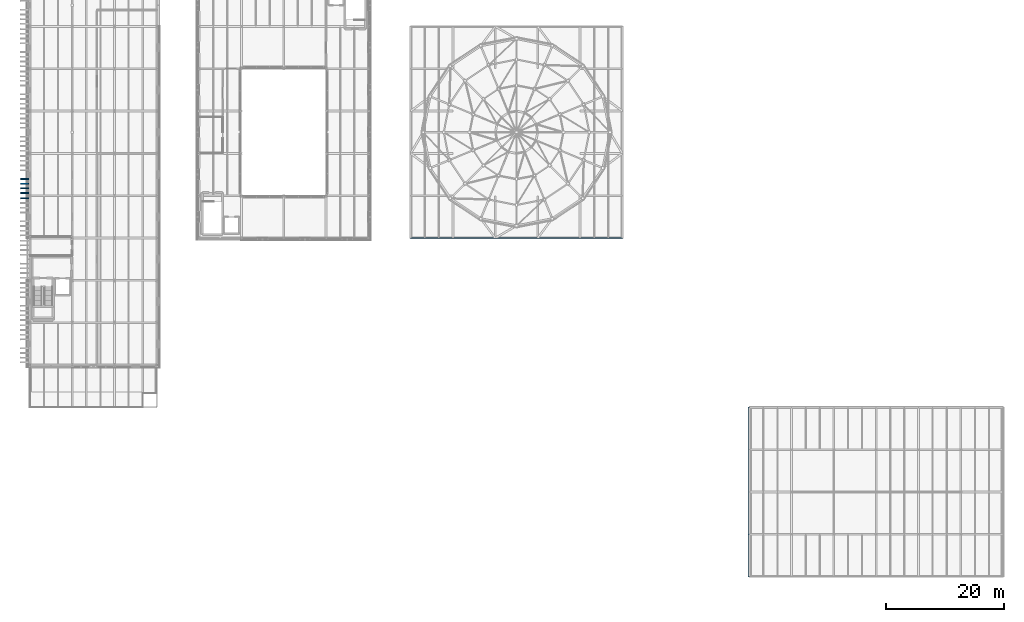
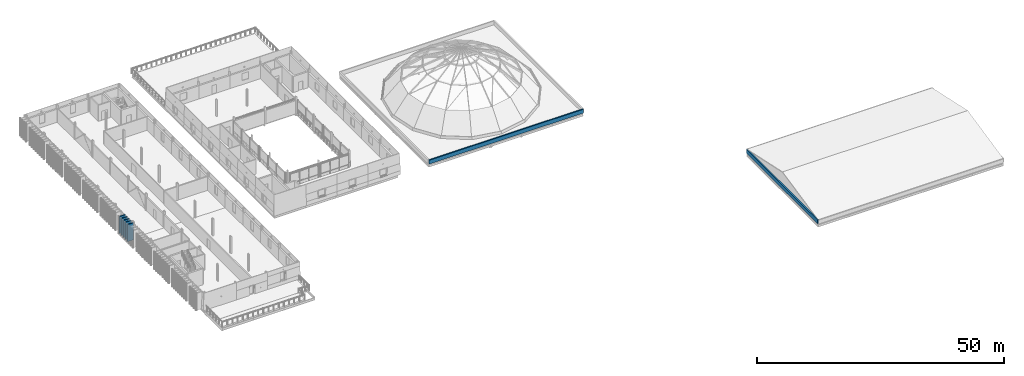
# One storey, part 45 of 66: 7 walls.
"""IFC4 building model written with IfcOpenShell, lengths in metres."""

from ifc_helpers import new_model, si_unit, direction, frame, frame_2d, origin, place, context, subcontext, project, spatial, rectangle, extrude, material, layer, layer_set, type_object, element, save


model = new_model("IFC4")

# Units and contexts
model_context = context("Model", 3, precision=1e-05, world=origin(), true_north=direction((0.0, 1.0)))
body_context = subcontext(model_context, "Body", "Model", "MODEL_VIEW")
ifc_project = project(units=[si_unit("LENGTHUNIT", "METRE"), si_unit("AREAUNIT", "SQUARE_METRE"), si_unit("VOLUMEUNIT", "CUBIC_METRE"), si_unit("PLANEANGLEUNIT", "RADIAN"), si_unit("MASSUNIT", "GRAM", prefix="KILO")], contexts=[model_context])

# Site, building, storey
site_placement = place(None, origin())
site = spatial("IfcSite", under=ifc_project, at=site_placement, CompositionType="ELEMENT")
building_placement = place(site_placement, origin())
building = spatial("IfcBuilding", under=site, at=building_placement, Name="Narikvali Park Central Library", CompositionType="ELEMENT")
storey_placement = place(building_placement, frame((0.0, 0.0, 18.60009765625)))
storey = spatial("IfcBuildingStorey", under=building, at=storey_placement, Name="L04", CompositionType="ELEMENT", Elevation=18.60009765625)

# Walls
ifc_material_1 = material(Name="Kiln-Fired Terracotta Red Brick Masonry", Category="masonry")
ifc_layer_1 = layer(ifc_material_1, 0.199951171875, Name="Kiln-Fired Terracotta Red Brick Masonry")
ifc_layer_set_1 = layer_set([ifc_layer_1], Name="Kiln-Fired Terracotta Red Brick Masonry")
wall_type_1 = type_object("IfcWallType", Name="Kiln-Fired Red Brick Vertical Fin Wall 200", PredefinedType="SOLIDWALL", material=ifc_layer_set_1)
for number, where, z_axis, x_axis, name in (
    (1, (-1.659912109375, 64.35009765625, 0.0), (0.0, 0.0, 1.0), (1.0, 0.0, 0.0), "West Stacks Red Brick Vertical Fin Pier 215"),
    (2, (-1.659912109375, 65.25, 0.0), (0.0, 0.0, 1.0), (1.0, 0.0, 0.0), "West Stacks Red Brick Vertical Fin Pier 221"),
    (3, (-1.659912109375, 66.050048828125, 0.0), (0.0, 0.0, 1.0), (1.0, 0.0, 0.0), "West Stacks Red Brick Vertical Fin Pier 227"),
    (4, (-1.659912109375, 66.85009765625, 0.0), (0.0, 0.0, 1.0), (1.0, 0.0, 0.0), "West Stacks Red Brick Vertical Fin Pier 233"),
    (5, (-1.659912109375, 67.64990234375, 0.0), (0.0, 0.0, 1.0), (1.0, 0.0, 0.0), "West Stacks Red Brick Vertical Fin Pier 239"),
):
    element("IfcWall", number, at=place(storey_placement, frame(where, z_axis=z_axis, x_axis=x_axis)), inside=storey, type_object=wall_type_1, Name=name, PredefinedType="SOLIDWALL", context=body_context, shape_type="SweptSolid", body=[
        extrude(rectangle(XDim=1.43994140625, YDim=0.199951171875, at=frame_2d((0.719970703125, 0.0))), origin(), (0.0, 0.0, 1.0), 4.199951171875),
    ])
ifc_material_2 = material(Name="White Honed Limestone over Concrete C35/45", Category="masonry")
ifc_layer_2 = layer(ifc_material_2, 0.300048828125, Name="White Honed Limestone over Concrete C35/45")
ifc_layer_set_2 = layer_set([ifc_layer_2], Name="White Honed Limestone over Concrete C35/45")
wall_type_2 = type_object("IfcWallType", Name="Limestone Coping Parapet Wall 300", PredefinedType="PARAPET", material=ifc_layer_set_2)
wall_1_placement = place(storey_placement, frame((64.800048828125, 57.60009765625, 0.0), z_axis=(0.0, 0.0, 1.0), x_axis=(1.0, 0.0, 0.0)))
element("IfcWall", 6, at=wall_1_placement, inside=storey, type_object=wall_type_2, Name="V1 L04 Roof Limestone Parapet S", PredefinedType="PARAPET", context=body_context, shape_type="SweptSolid", body=[
    extrude(rectangle(XDim=36.0, YDim=0.300048828125, at=frame_2d((18.0, 0.0))), origin(), (0.0, 0.0, 1.0), 0.949951171875),
])
wall_2_placement = place(storey_placement, frame((122.39990234375, 28.800048828125, 0.0), z_axis=(0.0, 0.0, 1.0), x_axis=(0.0, -1.0, 0.0)))
element("IfcWall", 7, at=wall_2_placement, inside=storey, type_object=wall_type_2, Name="V6 L04 Roof Limestone Parapet W", PredefinedType="PARAPET", context=body_context, shape_type="SweptSolid", body=[
    extrude(rectangle(XDim=28.800048828125, YDim=0.300048828125, at=frame_2d((14.39990234375, 0.0))), origin(), (0.0, 0.0, 1.0), 0.949951171875),
])

save(model, "model.ifc")
